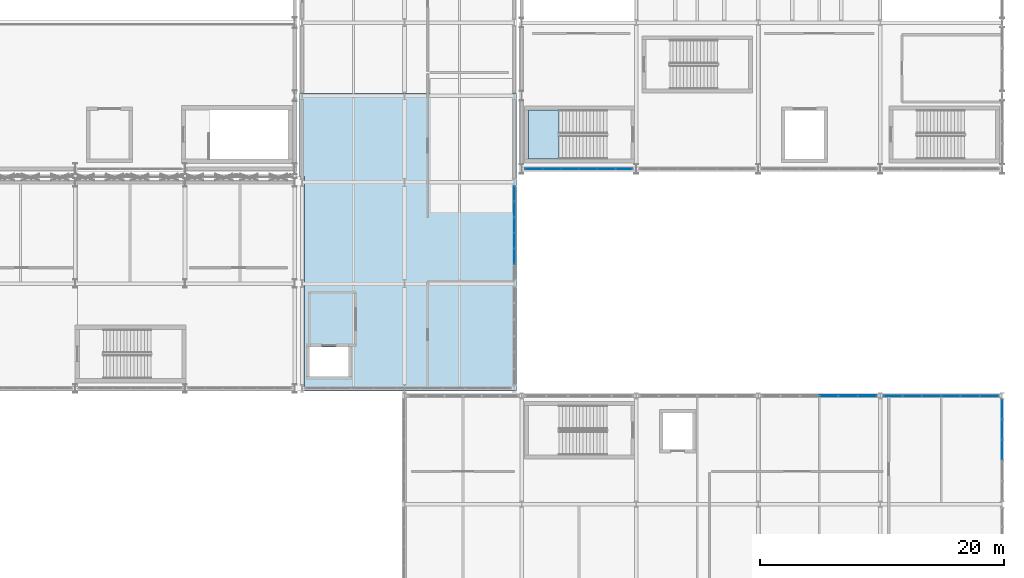
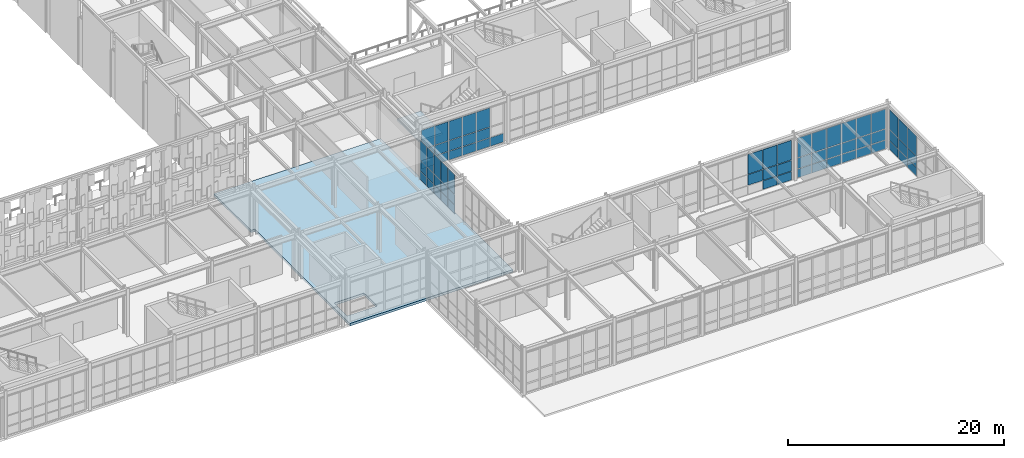
# One storey, part 145 of 210: 66 plates, 2 slabs, 6 elements without a shape of their own.
"""IFC4 building model written with IfcOpenShell, lengths in metres."""

from ifc_helpers import new_model, si_unit, direction, frame, origin, origin_2d, place, context, subcontext, project, spatial, polyline, rectangle, outline, extrude, material, layer, layer_set, type_object, element, aggregate, save


model = new_model("IFC4")

# Units and contexts
model_context = context("Model", 3, precision=1e-05, world=origin(), true_north=direction((0.0, 1.0)))
body_context = subcontext(model_context, "Body", "Model", "MODEL_VIEW")
ifc_project = project(units=[si_unit("LENGTHUNIT", "METRE"), si_unit("AREAUNIT", "SQUARE_METRE"), si_unit("VOLUMEUNIT", "CUBIC_METRE"), si_unit("PLANEANGLEUNIT", "RADIAN"), si_unit("MASSUNIT", "GRAM", prefix="KILO")], contexts=[model_context])

# Site, building, storey
site_placement = place(None, origin())
site = spatial("IfcSite", under=ifc_project, at=site_placement, CompositionType="ELEMENT")
building_placement = place(site_placement, origin())
building = spatial("IfcBuilding", under=site, at=building_placement, Name="Kaldris Quays Convention Centre", CompositionType="ELEMENT")
storey_placement = place(building_placement, frame((0.0, 0.0, 6.0)))
storey = spatial("IfcBuildingStorey", under=building, at=storey_placement, Name="L01", CompositionType="ELEMENT", Elevation=6.0)

# Curtain wall, plates
ifc_material_1 = material(Name="Anodized aluminium AW-6060 and triple glazing", Category="aluminium")
curtain_wall_type_1 = type_object("IfcCurtainWallType", Name="UNITISED CURTAIN WALL CW02", PredefinedType="NOTDEFINED", material=ifc_material_1)
curtain_wall_1_placement = place(storey_placement, origin())
curtain_wall_1 = element("IfcCurtainWall", 1, at=curtain_wall_1_placement, inside=storey, type_object=curtain_wall_type_1, Name="L01 Unitised Curtain Wall CW02 194", PredefinedType="NOTDEFINED")
ifc_material_2 = material(Name="Triple low-E insulated glazing", Category="glass")
plate_type_1 = type_object("IfcPlateType", Name="CURTAIN GLAZING PANEL CWP2", PredefinedType="CURTAIN_PANEL", material=ifc_material_2)
plate_1_placement = place(storey_placement, frame((195.056640625, 37.39990234375, 0.06005859375), z_axis=(0.0, 0.0, 1.0), x_axis=(1.0, 0.0, 0.0)))
plate_1 = element("IfcPlate", 2, at=plate_1_placement, type_object=plate_type_1, Name="CW02 panel 1.1", PredefinedType="CURTAIN_PANEL", context=body_context, shape_type="SweptSolid", body=[
    extrude(rectangle(XDim=1.493408203125, YDim=0.033935546875, at=origin_2d()), origin(), (0.0, 0.0, 1.0), 0.9599609375),
])
plate_2_placement = place(storey_placement, frame((195.056640625, 37.39990234375, 1.080078125), z_axis=(0.0, 0.0, 1.0), x_axis=(1.0, 0.0, 0.0)))
plate_2 = element("IfcPlate", 3, at=plate_2_placement, type_object=plate_type_1, Name="CW02 panel 1.2", PredefinedType="CURTAIN_PANEL", context=body_context, shape_type="SweptSolid", body=[
    extrude(rectangle(XDim=1.493408203125, YDim=0.033935546875, at=origin_2d()), origin(), (0.0, 0.0, 1.0), 1.18994140625),
])
plate_3_placement = place(storey_placement, frame((195.056640625, 37.39990234375, 2.330078125), z_axis=(0.0, 0.0, 1.0), x_axis=(1.0, 0.0, 0.0)))
plate_3 = element("IfcPlate", 4, at=plate_3_placement, type_object=plate_type_1, Name="CW02 panel 1.3", PredefinedType="CURTAIN_PANEL", context=body_context, shape_type="SweptSolid", body=[
    extrude(rectangle(XDim=1.493408203125, YDim=0.033935546875, at=origin_2d()), origin(), (0.0, 0.0, 1.0), 2.2099609375),
])
plate_4_placement = place(storey_placement, frame((196.625, 37.39990234375, 0.06005859375), z_axis=(0.0, 0.0, 1.0), x_axis=(1.0, 0.0, 0.0)))
plate_4 = element("IfcPlate", 5, at=plate_4_placement, type_object=plate_type_1, Name="CW02 panel 2.1", PredefinedType="CURTAIN_PANEL", context=body_context, shape_type="SweptSolid", body=[
    extrude(rectangle(XDim=1.5234375, YDim=0.033935546875, at=origin_2d()), origin(), (0.0, 0.0, 1.0), 0.9599609375),
])
plate_5_placement = place(storey_placement, frame((196.625, 37.39990234375, 1.080078125), z_axis=(0.0, 0.0, 1.0), x_axis=(1.0, 0.0, 0.0)))
plate_5 = element("IfcPlate", 6, at=plate_5_placement, type_object=plate_type_1, Name="CW02 panel 2.2", PredefinedType="CURTAIN_PANEL", context=body_context, shape_type="SweptSolid", body=[
    extrude(rectangle(XDim=1.5234375, YDim=0.033935546875, at=origin_2d()), origin(), (0.0, 0.0, 1.0), 1.18994140625),
])
plate_6_placement = place(storey_placement, frame((196.625, 37.39990234375, 2.330078125), z_axis=(0.0, 0.0, 1.0), x_axis=(1.0, 0.0, 0.0)))
plate_6 = element("IfcPlate", 7, at=plate_6_placement, type_object=plate_type_1, Name="CW02 panel 2.3", PredefinedType="CURTAIN_PANEL", context=body_context, shape_type="SweptSolid", body=[
    extrude(rectangle(XDim=1.5234375, YDim=0.033935546875, at=origin_2d()), origin(), (0.0, 0.0, 1.0), 2.2099609375),
])
plate_7_placement = place(storey_placement, frame((198.208251953125, 37.39990234375, 0.06005859375), z_axis=(0.0, 0.0, 1.0), x_axis=(1.0, 0.0, 0.0)))
plate_7 = element("IfcPlate", 8, at=plate_7_placement, type_object=plate_type_1, Name="CW02 panel 3.1", PredefinedType="CURTAIN_PANEL", context=body_context, shape_type="SweptSolid", body=[
    extrude(rectangle(XDim=1.5234375, YDim=0.033935546875, at=origin_2d()), origin(), (0.0, 0.0, 1.0), 0.9599609375),
])
plate_8_placement = place(storey_placement, frame((198.208251953125, 37.39990234375, 1.080078125), z_axis=(0.0, 0.0, 1.0), x_axis=(1.0, 0.0, 0.0)))
plate_8 = element("IfcPlate", 9, at=plate_8_placement, type_object=plate_type_1, Name="CW02 panel 3.2", PredefinedType="CURTAIN_PANEL", context=body_context, shape_type="SweptSolid", body=[
    extrude(rectangle(XDim=1.5234375, YDim=0.033935546875, at=origin_2d()), origin(), (0.0, 0.0, 1.0), 1.18994140625),
])
plate_9_placement = place(storey_placement, frame((198.208251953125, 37.39990234375, 2.330078125), z_axis=(0.0, 0.0, 1.0), x_axis=(1.0, 0.0, 0.0)))
plate_9 = element("IfcPlate", 10, at=plate_9_placement, type_object=plate_type_1, Name="CW02 panel 3.3", PredefinedType="CURTAIN_PANEL", context=body_context, shape_type="SweptSolid", body=[
    extrude(rectangle(XDim=1.5234375, YDim=0.033935546875, at=origin_2d()), origin(), (0.0, 0.0, 1.0), 2.2099609375),
])
plate_10_placement = place(storey_placement, frame((199.791748046875, 37.39990234375, 0.06005859375), z_axis=(0.0, 0.0, 1.0), x_axis=(1.0, 0.0, 0.0)))
plate_10 = element("IfcPlate", 11, at=plate_10_placement, type_object=plate_type_1, Name="CW02 panel 4.1", PredefinedType="CURTAIN_PANEL", context=body_context, shape_type="SweptSolid", body=[
    extrude(rectangle(XDim=1.5234375, YDim=0.033935546875, at=origin_2d()), origin(), (0.0, 0.0, 1.0), 0.9599609375),
])
plate_11_placement = place(storey_placement, frame((199.791748046875, 37.39990234375, 1.080078125), z_axis=(0.0, 0.0, 1.0), x_axis=(1.0, 0.0, 0.0)))
plate_11 = element("IfcPlate", 12, at=plate_11_placement, type_object=plate_type_1, Name="CW02 panel 4.2", PredefinedType="CURTAIN_PANEL", context=body_context, shape_type="SweptSolid", body=[
    extrude(rectangle(XDim=1.5234375, YDim=0.033935546875, at=origin_2d()), origin(), (0.0, 0.0, 1.0), 1.18994140625),
])
plate_12_placement = place(storey_placement, frame((199.791748046875, 37.39990234375, 2.330078125), z_axis=(0.0, 0.0, 1.0), x_axis=(1.0, 0.0, 0.0)))
plate_12 = element("IfcPlate", 13, at=plate_12_placement, type_object=plate_type_1, Name="CW02 panel 4.3", PredefinedType="CURTAIN_PANEL", context=body_context, shape_type="SweptSolid", body=[
    extrude(rectangle(XDim=1.5234375, YDim=0.033935546875, at=origin_2d()), origin(), (0.0, 0.0, 1.0), 2.2099609375),
])
plate_13_placement = place(storey_placement, frame((201.375, 37.39990234375, 0.06005859375), z_axis=(0.0, 0.0, 1.0), x_axis=(1.0, 0.0, 0.0)))
plate_13 = element("IfcPlate", 14, at=plate_13_placement, type_object=plate_type_1, Name="CW02 panel 5.1", PredefinedType="CURTAIN_PANEL", context=body_context, shape_type="SweptSolid", body=[
    extrude(rectangle(XDim=1.5234375, YDim=0.033935546875, at=origin_2d()), origin(), (0.0, 0.0, 1.0), 0.9599609375),
])
plate_14_placement = place(storey_placement, frame((201.375, 37.39990234375, 1.080078125), z_axis=(0.0, 0.0, 1.0), x_axis=(1.0, 0.0, 0.0)))
plate_14 = element("IfcPlate", 15, at=plate_14_placement, type_object=plate_type_1, Name="CW02 panel 5.2", PredefinedType="CURTAIN_PANEL", context=body_context, shape_type="SweptSolid", body=[
    extrude(rectangle(XDim=1.5234375, YDim=0.033935546875, at=origin_2d()), origin(), (0.0, 0.0, 1.0), 1.18994140625),
])
plate_15_placement = place(storey_placement, frame((201.375, 37.39990234375, 2.330078125), z_axis=(0.0, 0.0, 1.0), x_axis=(1.0, 0.0, 0.0)))
plate_15 = element("IfcPlate", 16, at=plate_15_placement, type_object=plate_type_1, Name="CW02 panel 5.3", PredefinedType="CURTAIN_PANEL", context=body_context, shape_type="SweptSolid", body=[
    extrude(rectangle(XDim=1.5234375, YDim=0.033935546875, at=origin_2d()), origin(), (0.0, 0.0, 1.0), 2.2099609375),
])
plate_16_placement = place(storey_placement, frame((202.943359375, 37.39990234375, 0.06005859375), z_axis=(0.0, 0.0, 1.0), x_axis=(1.0, 0.0, 0.0)))
plate_16 = element("IfcPlate", 17, at=plate_16_placement, type_object=plate_type_1, Name="CW02 panel 6.1", PredefinedType="CURTAIN_PANEL", context=body_context, shape_type="SweptSolid", body=[
    extrude(rectangle(XDim=1.493408203125, YDim=0.033935546875, at=origin_2d()), origin(), (0.0, 0.0, 1.0), 0.9599609375),
])
plate_17_placement = place(storey_placement, frame((202.943359375, 37.39990234375, 1.080078125), z_axis=(0.0, 0.0, 1.0), x_axis=(1.0, 0.0, 0.0)))
plate_17 = element("IfcPlate", 18, at=plate_17_placement, type_object=plate_type_1, Name="CW02 panel 6.2", PredefinedType="CURTAIN_PANEL", context=body_context, shape_type="SweptSolid", body=[
    extrude(rectangle(XDim=1.493408203125, YDim=0.033935546875, at=origin_2d()), origin(), (0.0, 0.0, 1.0), 1.18994140625),
])
plate_18_placement = place(storey_placement, frame((202.943359375, 37.39990234375, 2.330078125), z_axis=(0.0, 0.0, 1.0), x_axis=(1.0, 0.0, 0.0)))
plate_18 = element("IfcPlate", 19, at=plate_18_placement, type_object=plate_type_1, Name="CW02 panel 6.3", PredefinedType="CURTAIN_PANEL", context=body_context, shape_type="SweptSolid", body=[
    extrude(rectangle(XDim=1.493408203125, YDim=0.033935546875, at=origin_2d()), origin(), (0.0, 0.0, 1.0), 2.2099609375),
])
aggregate(curtain_wall_1, [plate_1, plate_2, plate_3, plate_4, plate_5, plate_6, plate_7, plate_8, plate_9, plate_10, plate_11, plate_12, plate_13, plate_14, plate_15, plate_16, plate_17, plate_18])

curtain_wall_type_2 = type_object("IfcCurtainWallType", Name="UNITISED CURTAIN WALL CW04", PredefinedType="NOTDEFINED", material=ifc_material_1)
curtain_wall_2_placement = place(storey_placement, origin())
curtain_wall_2 = element("IfcCurtainWall", 20, at=curtain_wall_2_placement, inside=storey, type_object=curtain_wall_type_2, Name="L01 Unitised Curtain Wall CW04 139", PredefinedType="NOTDEFINED")
plate_type_2 = type_object("IfcPlateType", Name="CURTAIN GLAZING PANEL CWP3", PredefinedType="CURTAIN_PANEL", material=ifc_material_2)
plate_19_placement = place(storey_placement, frame((164.0, 48.800048828125, 0.06005859375), z_axis=(0.0, 0.0, 1.0), x_axis=(0.0, 1.0, 0.0)))
plate_19 = element("IfcPlate", 21, at=plate_19_placement, type_object=plate_type_2, Name="CW04 panel 2.1", PredefinedType="CURTAIN_PANEL", context=body_context, shape_type="SweptSolid", body=[
    extrude(rectangle(XDim=1.239990234375, YDim=0.0390625, at=origin_2d()), origin(), (0.0, 0.0, 1.0), 0.9599609375),
])
plate_20_placement = place(storey_placement, frame((164.0, 48.800048828125, 1.080078125), z_axis=(0.0, 0.0, 1.0), x_axis=(0.0, 1.0, 0.0)))
plate_20 = element("IfcPlate", 22, at=plate_20_placement, type_object=plate_type_2, Name="CW04 panel 2.2", PredefinedType="CURTAIN_PANEL", context=body_context, shape_type="SweptSolid", body=[
    extrude(rectangle(XDim=1.239990234375, YDim=0.0390625, at=origin_2d()), origin(), (0.0, 0.0, 1.0), 1.14892578125),
])
plate_21_placement = place(storey_placement, frame((164.0, 48.800048828125, 2.2890625), z_axis=(0.0, 0.0, 1.0), x_axis=(0.0, 1.0, 0.0)))
plate_21 = element("IfcPlate", 23, at=plate_21_placement, type_object=plate_type_2, Name="CW04 panel 2.3", PredefinedType="CURTAIN_PANEL", context=body_context, shape_type="SweptSolid", body=[
    extrude(rectangle(XDim=1.239990234375, YDim=0.0390625, at=origin_2d()), origin(), (0.0, 0.0, 1.0), 2.1689453125),
])
plate_22_placement = place(storey_placement, frame((164.0, 50.10009765625, 0.06005859375), z_axis=(0.0, 0.0, 1.0), x_axis=(0.0, 1.0, 0.0)))
plate_22 = element("IfcPlate", 24, at=plate_22_placement, type_object=plate_type_2, Name="CW04 panel 3.1", PredefinedType="CURTAIN_PANEL", context=body_context, shape_type="SweptSolid", body=[
    extrude(rectangle(XDim=1.239990234375, YDim=0.0390625, at=origin_2d()), origin(), (0.0, 0.0, 1.0), 0.9599609375),
])
plate_23_placement = place(storey_placement, frame((164.0, 50.10009765625, 1.080078125), z_axis=(0.0, 0.0, 1.0), x_axis=(0.0, 1.0, 0.0)))
plate_23 = element("IfcPlate", 25, at=plate_23_placement, type_object=plate_type_2, Name="CW04 panel 3.2", PredefinedType="CURTAIN_PANEL", context=body_context, shape_type="SweptSolid", body=[
    extrude(rectangle(XDim=1.239990234375, YDim=0.0390625, at=origin_2d()), origin(), (0.0, 0.0, 1.0), 1.14892578125),
])
plate_24_placement = place(storey_placement, frame((164.0, 50.10009765625, 2.2890625), z_axis=(0.0, 0.0, 1.0), x_axis=(0.0, 1.0, 0.0)))
plate_24 = element("IfcPlate", 26, at=plate_24_placement, type_object=plate_type_2, Name="CW04 panel 3.3", PredefinedType="CURTAIN_PANEL", context=body_context, shape_type="SweptSolid", body=[
    extrude(rectangle(XDim=1.239990234375, YDim=0.0390625, at=origin_2d()), origin(), (0.0, 0.0, 1.0), 2.1689453125),
])
plate_25_placement = place(storey_placement, frame((164.0, 51.39990234375, 0.06005859375), z_axis=(0.0, 0.0, 1.0), x_axis=(0.0, 1.0, 0.0)))
plate_25 = element("IfcPlate", 27, at=plate_25_placement, type_object=plate_type_2, Name="CW04 panel 4.1", PredefinedType="CURTAIN_PANEL", context=body_context, shape_type="SweptSolid", body=[
    extrude(rectangle(XDim=1.239990234375, YDim=0.0390625, at=origin_2d()), origin(), (0.0, 0.0, 1.0), 0.9599609375),
])
plate_26_placement = place(storey_placement, frame((164.0, 51.39990234375, 1.080078125), z_axis=(0.0, 0.0, 1.0), x_axis=(0.0, 1.0, 0.0)))
plate_26 = element("IfcPlate", 28, at=plate_26_placement, type_object=plate_type_2, Name="CW04 panel 4.2", PredefinedType="CURTAIN_PANEL", context=body_context, shape_type="SweptSolid", body=[
    extrude(rectangle(XDim=1.239990234375, YDim=0.0390625, at=origin_2d()), origin(), (0.0, 0.0, 1.0), 1.14892578125),
])
plate_27_placement = place(storey_placement, frame((164.0, 51.39990234375, 2.2890625), z_axis=(0.0, 0.0, 1.0), x_axis=(0.0, 1.0, 0.0)))
plate_27 = element("IfcPlate", 29, at=plate_27_placement, type_object=plate_type_2, Name="CW04 panel 4.3", PredefinedType="CURTAIN_PANEL", context=body_context, shape_type="SweptSolid", body=[
    extrude(rectangle(XDim=1.239990234375, YDim=0.0390625, at=origin_2d()), origin(), (0.0, 0.0, 1.0), 2.1689453125),
])
plate_28_placement = place(storey_placement, frame((164.0, 52.699951171875, 0.06005859375), z_axis=(0.0, 0.0, 1.0), x_axis=(0.0, 1.0, 0.0)))
plate_28 = element("IfcPlate", 30, at=plate_28_placement, type_object=plate_type_2, Name="CW04 panel 5.1", PredefinedType="CURTAIN_PANEL", context=body_context, shape_type="SweptSolid", body=[
    extrude(rectangle(XDim=1.239990234375, YDim=0.0390625, at=origin_2d()), origin(), (0.0, 0.0, 1.0), 0.9599609375),
])
plate_29_placement = place(storey_placement, frame((164.0, 52.699951171875, 1.080078125), z_axis=(0.0, 0.0, 1.0), x_axis=(0.0, 1.0, 0.0)))
plate_29 = element("IfcPlate", 31, at=plate_29_placement, type_object=plate_type_2, Name="CW04 panel 5.2", PredefinedType="CURTAIN_PANEL", context=body_context, shape_type="SweptSolid", body=[
    extrude(rectangle(XDim=1.239990234375, YDim=0.0390625, at=origin_2d()), origin(), (0.0, 0.0, 1.0), 1.14892578125),
])
plate_30_placement = place(storey_placement, frame((164.0, 52.699951171875, 2.2890625), z_axis=(0.0, 0.0, 1.0), x_axis=(0.0, 1.0, 0.0)))
plate_30 = element("IfcPlate", 32, at=plate_30_placement, type_object=plate_type_2, Name="CW04 panel 5.3", PredefinedType="CURTAIN_PANEL", context=body_context, shape_type="SweptSolid", body=[
    extrude(rectangle(XDim=1.239990234375, YDim=0.0390625, at=origin_2d()), origin(), (0.0, 0.0, 1.0), 2.1689453125),
])
plate_31_placement = place(storey_placement, frame((164.0, 53.985107421875, 0.06005859375), z_axis=(0.0, 0.0, 1.0), x_axis=(0.0, 1.0, 0.0)))
plate_31 = element("IfcPlate", 33, at=plate_31_placement, type_object=plate_type_2, Name="CW04 panel 6.1", PredefinedType="CURTAIN_PANEL", context=body_context, shape_type="SweptSolid", body=[
    extrude(rectangle(XDim=1.2099609375, YDim=0.0390625, at=origin_2d()), origin(), (0.0, 0.0, 1.0), 0.9599609375),
])
plate_32_placement = place(storey_placement, frame((164.0, 53.985107421875, 1.080078125), z_axis=(0.0, 0.0, 1.0), x_axis=(0.0, 1.0, 0.0)))
plate_32 = element("IfcPlate", 34, at=plate_32_placement, type_object=plate_type_2, Name="CW04 panel 6.2", PredefinedType="CURTAIN_PANEL", context=body_context, shape_type="SweptSolid", body=[
    extrude(rectangle(XDim=1.2099609375, YDim=0.0390625, at=origin_2d()), origin(), (0.0, 0.0, 1.0), 1.14892578125),
])
plate_33_placement = place(storey_placement, frame((164.0, 53.985107421875, 2.2890625), z_axis=(0.0, 0.0, 1.0), x_axis=(0.0, 1.0, 0.0)))
plate_33 = element("IfcPlate", 35, at=plate_33_placement, type_object=plate_type_2, Name="CW04 panel 6.3", PredefinedType="CURTAIN_PANEL", context=body_context, shape_type="SweptSolid", body=[
    extrude(rectangle(XDim=1.2099609375, YDim=0.0390625, at=origin_2d()), origin(), (0.0, 0.0, 1.0), 2.1689453125),
])
aggregate(curtain_wall_2, [plate_19, plate_20, plate_21, plate_22, plate_23, plate_24, plate_25, plate_26, plate_27, plate_28, plate_29, plate_30, plate_31, plate_32, plate_33])

curtain_wall_type_3 = type_object("IfcCurtainWallType", Name="UNITISED CURTAIN WALL CW01", PredefinedType="NOTDEFINED", material=ifc_material_1)
curtain_wall_3_placement = place(storey_placement, origin())
curtain_wall_3 = element("IfcCurtainWall", 36, at=curtain_wall_3_placement, inside=storey, type_object=curtain_wall_type_3, Name="L01 Unitised Curtain Wall CW01 22", PredefinedType="NOTDEFINED")
plate_type_3 = type_object("IfcPlateType", Name="CURTAIN GLAZING PANEL CWP6", PredefinedType="CURTAIN_PANEL", material=ifc_material_2)
plate_34_placement = place(storey_placement, frame((165.606689453125, 56.0, 0.06005859375), z_axis=(0.0, 0.0, 1.0), x_axis=(1.0, 0.0, 0.0)))
plate_34 = element("IfcPlate", 37, at=plate_34_placement, type_object=plate_type_3, Name="CW01 panel 1.1", PredefinedType="CURTAIN_PANEL", context=body_context, shape_type="SweptSolid", body=[
    extrude(rectangle(XDim=1.393310546875, YDim=0.053955078125, at=origin_2d()), origin(), (0.0, 0.0, 1.0), 0.9599609375),
])
plate_35_placement = place(storey_placement, frame((165.606689453125, 56.0, 1.080078125), z_axis=(0.0, 0.0, 1.0), x_axis=(1.0, 0.0, 0.0)))
plate_35 = element("IfcPlate", 38, at=plate_35_placement, type_object=plate_type_3, Name="CW01 panel 1.2", PredefinedType="CURTAIN_PANEL", context=body_context, shape_type="SweptSolid", body=[
    extrude(rectangle(XDim=1.393310546875, YDim=0.053955078125, at=origin_2d()), origin(), (0.0, 0.0, 1.0), 1.12890625),
])
plate_36_placement = place(storey_placement, frame((165.606689453125, 56.0, 2.26904296875), z_axis=(0.0, 0.0, 1.0), x_axis=(1.0, 0.0, 0.0)))
plate_36 = element("IfcPlate", 39, at=plate_36_placement, type_object=plate_type_3, Name="CW01 panel 1.3", PredefinedType="CURTAIN_PANEL", context=body_context, shape_type="SweptSolid", body=[
    extrude(rectangle(XDim=1.393310546875, YDim=0.053955078125, at=origin_2d()), origin(), (0.0, 0.0, 1.0), 2.14892578125),
])
plate_37_placement = place(storey_placement, frame((167.074951171875, 56.0, 0.06005859375), z_axis=(0.0, 0.0, 1.0), x_axis=(1.0, 0.0, 0.0)))
plate_37 = element("IfcPlate", 40, at=plate_37_placement, type_object=plate_type_3, Name="CW01 panel 2.1", PredefinedType="CURTAIN_PANEL", context=body_context, shape_type="SweptSolid", body=[
    extrude(rectangle(XDim=1.42333984375, YDim=0.053955078125, at=origin_2d()), origin(), (0.0, 0.0, 1.0), 0.9599609375),
])
plate_38_placement = place(storey_placement, frame((167.074951171875, 56.0, 1.080078125), z_axis=(0.0, 0.0, 1.0), x_axis=(1.0, 0.0, 0.0)))
plate_38 = element("IfcPlate", 41, at=plate_38_placement, type_object=plate_type_3, Name="CW01 panel 2.2", PredefinedType="CURTAIN_PANEL", context=body_context, shape_type="SweptSolid", body=[
    extrude(rectangle(XDim=1.42333984375, YDim=0.053955078125, at=origin_2d()), origin(), (0.0, 0.0, 1.0), 1.12890625),
])
plate_39_placement = place(storey_placement, frame((167.074951171875, 56.0, 2.26904296875), z_axis=(0.0, 0.0, 1.0), x_axis=(1.0, 0.0, 0.0)))
plate_39 = element("IfcPlate", 42, at=plate_39_placement, type_object=plate_type_3, Name="CW01 panel 2.3", PredefinedType="CURTAIN_PANEL", context=body_context, shape_type="SweptSolid", body=[
    extrude(rectangle(XDim=1.42333984375, YDim=0.053955078125, at=origin_2d()), origin(), (0.0, 0.0, 1.0), 2.14892578125),
])
plate_40_placement = place(storey_placement, frame((168.558349609375, 56.0, 0.06005859375), z_axis=(0.0, 0.0, 1.0), x_axis=(1.0, 0.0, 0.0)))
plate_40 = element("IfcPlate", 43, at=plate_40_placement, type_object=plate_type_3, Name="CW01 panel 3.1", PredefinedType="CURTAIN_PANEL", context=body_context, shape_type="SweptSolid", body=[
    extrude(rectangle(XDim=1.42333984375, YDim=0.053955078125, at=origin_2d()), origin(), (0.0, 0.0, 1.0), 0.9599609375),
])
plate_41_placement = place(storey_placement, frame((168.558349609375, 56.0, 1.080078125), z_axis=(0.0, 0.0, 1.0), x_axis=(1.0, 0.0, 0.0)))
plate_41 = element("IfcPlate", 44, at=plate_41_placement, type_object=plate_type_3, Name="CW01 panel 3.2", PredefinedType="CURTAIN_PANEL", context=body_context, shape_type="SweptSolid", body=[
    extrude(rectangle(XDim=1.42333984375, YDim=0.053955078125, at=origin_2d()), origin(), (0.0, 0.0, 1.0), 1.12890625),
])
plate_42_placement = place(storey_placement, frame((168.558349609375, 56.0, 2.26904296875), z_axis=(0.0, 0.0, 1.0), x_axis=(1.0, 0.0, 0.0)))
plate_42 = element("IfcPlate", 45, at=plate_42_placement, type_object=plate_type_3, Name="CW01 panel 3.3", PredefinedType="CURTAIN_PANEL", context=body_context, shape_type="SweptSolid", body=[
    extrude(rectangle(XDim=1.42333984375, YDim=0.053955078125, at=origin_2d()), origin(), (0.0, 0.0, 1.0), 2.14892578125),
])
plate_43_placement = place(storey_placement, frame((170.041748046875, 56.0, 0.06005859375), z_axis=(0.0, 0.0, 1.0), x_axis=(1.0, 0.0, 0.0)))
plate_43 = element("IfcPlate", 46, at=plate_43_placement, type_object=plate_type_3, Name="CW01 panel 4.1", PredefinedType="CURTAIN_PANEL", context=body_context, shape_type="SweptSolid", body=[
    extrude(rectangle(XDim=1.42333984375, YDim=0.053955078125, at=origin_2d()), origin(), (0.0, 0.0, 1.0), 0.9599609375),
])
plate_44_placement = place(storey_placement, frame((170.041748046875, 56.0, 1.080078125), z_axis=(0.0, 0.0, 1.0), x_axis=(1.0, 0.0, 0.0)))
plate_44 = element("IfcPlate", 47, at=plate_44_placement, type_object=plate_type_3, Name="CW01 panel 4.2", PredefinedType="CURTAIN_PANEL", context=body_context, shape_type="SweptSolid", body=[
    extrude(rectangle(XDim=1.42333984375, YDim=0.053955078125, at=origin_2d()), origin(), (0.0, 0.0, 1.0), 1.12890625),
])
plate_45_placement = place(storey_placement, frame((170.041748046875, 56.0, 2.26904296875), z_axis=(0.0, 0.0, 1.0), x_axis=(1.0, 0.0, 0.0)))
plate_45 = element("IfcPlate", 48, at=plate_45_placement, type_object=plate_type_3, Name="CW01 panel 4.3", PredefinedType="CURTAIN_PANEL", context=body_context, shape_type="SweptSolid", body=[
    extrude(rectangle(XDim=1.42333984375, YDim=0.053955078125, at=origin_2d()), origin(), (0.0, 0.0, 1.0), 2.14892578125),
])
plate_46_placement = place(storey_placement, frame((171.52490234375, 56.0, 0.06005859375), z_axis=(0.0, 0.0, 1.0), x_axis=(1.0, 0.0, 0.0)))
plate_46 = element("IfcPlate", 49, at=plate_46_placement, type_object=plate_type_3, Name="CW01 panel 5.1", PredefinedType="CURTAIN_PANEL", context=body_context, shape_type="SweptSolid", body=[
    extrude(rectangle(XDim=1.42333984375, YDim=0.053955078125, at=origin_2d()), origin(), (0.0, 0.0, 1.0), 0.9599609375),
])
plate_47_placement = place(storey_placement, frame((171.52490234375, 56.0, 1.080078125), z_axis=(0.0, 0.0, 1.0), x_axis=(1.0, 0.0, 0.0)))
plate_47 = element("IfcPlate", 50, at=plate_47_placement, type_object=plate_type_3, Name="CW01 panel 5.2", PredefinedType="CURTAIN_PANEL", context=body_context, shape_type="SweptSolid", body=[
    extrude(rectangle(XDim=1.42333984375, YDim=0.053955078125, at=origin_2d()), origin(), (0.0, 0.0, 1.0), 1.12890625),
])
plate_48_placement = place(storey_placement, frame((171.52490234375, 56.0, 2.26904296875), z_axis=(0.0, 0.0, 1.0), x_axis=(1.0, 0.0, 0.0)))
plate_48 = element("IfcPlate", 51, at=plate_48_placement, type_object=plate_type_3, Name="CW01 panel 5.3", PredefinedType="CURTAIN_PANEL", context=body_context, shape_type="SweptSolid", body=[
    extrude(rectangle(XDim=1.42333984375, YDim=0.053955078125, at=origin_2d()), origin(), (0.0, 0.0, 1.0), 2.14892578125),
])
plate_49_placement = place(storey_placement, frame((172.993408203125, 56.0, 0.06005859375), z_axis=(0.0, 0.0, 1.0), x_axis=(1.0, 0.0, 0.0)))
plate_49 = element("IfcPlate", 52, at=plate_49_placement, type_object=plate_type_3, Name="CW01 panel 6.1", PredefinedType="CURTAIN_PANEL", context=body_context, shape_type="SweptSolid", body=[
    extrude(rectangle(XDim=1.393310546875, YDim=0.053955078125, at=origin_2d()), origin(), (0.0, 0.0, 1.0), 0.9599609375),
])
aggregate(curtain_wall_3, [plate_34, plate_35, plate_36, plate_37, plate_38, plate_39, plate_40, plate_41, plate_42, plate_43, plate_44, plate_45, plate_46, plate_47, plate_48, plate_49])

curtain_wall_4_placement = place(storey_placement, origin())
curtain_wall_4 = element("IfcCurtainWall", 53, at=curtain_wall_4_placement, inside=storey, type_object=curtain_wall_type_1, Name="L01 Unitised Curtain Wall CW02 198", PredefinedType="NOTDEFINED")
plate_50_placement = place(storey_placement, frame((204.0, 32.949951171875, 0.06005859375), z_axis=(0.0, 0.0, 1.0), x_axis=(0.0, 1.0, 0.0)))
plate_50 = element("IfcPlate", 54, at=plate_50_placement, type_object=plate_type_3, Name="CW02 panel 3.1", PredefinedType="CURTAIN_PANEL", context=body_context, shape_type="SweptSolid", body=[
    extrude(rectangle(XDim=1.6201171875, YDim=0.053955078125, at=origin_2d()), origin(), (0.0, 0.0, 1.0), 0.9599609375),
])
plate_51_placement = place(storey_placement, frame((204.0, 32.949951171875, 1.080078125), z_axis=(0.0, 0.0, 1.0), x_axis=(0.0, 1.0, 0.0)))
plate_51 = element("IfcPlate", 55, at=plate_51_placement, type_object=plate_type_3, Name="CW02 panel 3.2", PredefinedType="CURTAIN_PANEL", context=body_context, shape_type="SweptSolid", body=[
    extrude(rectangle(XDim=1.6201171875, YDim=0.053955078125, at=origin_2d()), origin(), (0.0, 0.0, 1.0), 1.18994140625),
])
plate_52_placement = place(storey_placement, frame((204.0, 32.949951171875, 2.330078125), z_axis=(0.0, 0.0, 1.0), x_axis=(0.0, 1.0, 0.0)))
plate_52 = element("IfcPlate", 56, at=plate_52_placement, type_object=plate_type_3, Name="CW02 panel 3.3", PredefinedType="CURTAIN_PANEL", context=body_context, shape_type="SweptSolid", body=[
    extrude(rectangle(XDim=1.6201171875, YDim=0.053955078125, at=origin_2d()), origin(), (0.0, 0.0, 1.0), 2.2099609375),
])
plate_53_placement = place(storey_placement, frame((204.0, 34.6298828125, 0.06005859375), z_axis=(0.0, 0.0, 1.0), x_axis=(0.0, 1.0, 0.0)))
plate_53 = element("IfcPlate", 57, at=plate_53_placement, type_object=plate_type_3, Name="CW02 panel 4.1", PredefinedType="CURTAIN_PANEL", context=body_context, shape_type="SweptSolid", body=[
    extrude(rectangle(XDim=1.6201171875, YDim=0.053955078125, at=origin_2d()), origin(), (0.0, 0.0, 1.0), 0.9599609375),
])
plate_54_placement = place(storey_placement, frame((204.0, 34.6298828125, 1.080078125), z_axis=(0.0, 0.0, 1.0), x_axis=(0.0, 1.0, 0.0)))
plate_54 = element("IfcPlate", 58, at=plate_54_placement, type_object=plate_type_3, Name="CW02 panel 4.2", PredefinedType="CURTAIN_PANEL", context=body_context, shape_type="SweptSolid", body=[
    extrude(rectangle(XDim=1.6201171875, YDim=0.053955078125, at=origin_2d()), origin(), (0.0, 0.0, 1.0), 1.18994140625),
])
plate_55_placement = place(storey_placement, frame((204.0, 34.6298828125, 2.330078125), z_axis=(0.0, 0.0, 1.0), x_axis=(0.0, 1.0, 0.0)))
plate_55 = element("IfcPlate", 59, at=plate_55_placement, type_object=plate_type_3, Name="CW02 panel 4.3", PredefinedType="CURTAIN_PANEL", context=body_context, shape_type="SweptSolid", body=[
    extrude(rectangle(XDim=1.6201171875, YDim=0.053955078125, at=origin_2d()), origin(), (0.0, 0.0, 1.0), 2.2099609375),
])
plate_56_placement = place(storey_placement, frame((204.0, 36.294921875, 0.06005859375), z_axis=(0.0, 0.0, 1.0), x_axis=(0.0, 1.0, 0.0)))
plate_56 = element("IfcPlate", 60, at=plate_56_placement, type_object=plate_type_3, Name="CW02 panel 5.1", PredefinedType="CURTAIN_PANEL", context=body_context, shape_type="SweptSolid", body=[
    extrude(rectangle(XDim=1.590087890625, YDim=0.053955078125, at=origin_2d()), origin(), (0.0, 0.0, 1.0), 0.9599609375),
])
plate_57_placement = place(storey_placement, frame((204.0, 36.294921875, 1.080078125), z_axis=(0.0, 0.0, 1.0), x_axis=(0.0, 1.0, 0.0)))
plate_57 = element("IfcPlate", 61, at=plate_57_placement, type_object=plate_type_3, Name="CW02 panel 5.2", PredefinedType="CURTAIN_PANEL", context=body_context, shape_type="SweptSolid", body=[
    extrude(rectangle(XDim=1.590087890625, YDim=0.053955078125, at=origin_2d()), origin(), (0.0, 0.0, 1.0), 1.18994140625),
])
plate_58_placement = place(storey_placement, frame((204.0, 36.294921875, 2.330078125), z_axis=(0.0, 0.0, 1.0), x_axis=(0.0, 1.0, 0.0)))
plate_58 = element("IfcPlate", 62, at=plate_58_placement, type_object=plate_type_3, Name="CW02 panel 5.3", PredefinedType="CURTAIN_PANEL", context=body_context, shape_type="SweptSolid", body=[
    extrude(rectangle(XDim=1.590087890625, YDim=0.053955078125, at=origin_2d()), origin(), (0.0, 0.0, 1.0), 2.2099609375),
])
aggregate(curtain_wall_4, [plate_50, plate_51, plate_52, plate_53, plate_54, plate_55, plate_56, plate_57, plate_58])

curtain_wall_5_placement = place(storey_placement, origin())
curtain_wall_5 = element("IfcCurtainWall", 63, at=curtain_wall_5_placement, inside=storey, type_object=curtain_wall_type_1, Name="L01 Unitised Curtain Wall CW02 192", PredefinedType="NOTDEFINED")
plate_type_4 = type_object("IfcPlateType", Name="CURTAIN GLAZING PANEL CWP8", PredefinedType="CURTAIN_PANEL", material=ifc_material_2)
plate_59_placement = place(storey_placement, frame((189.791748046875, 37.39990234375, 1.080078125), z_axis=(0.0, 0.0, 1.0), x_axis=(1.0, 0.0, 0.0)))
plate_59 = element("IfcPlate", 64, at=plate_59_placement, type_object=plate_type_4, Name="CW02 panel 4.2", PredefinedType="CURTAIN_PANEL", context=body_context, shape_type="SweptSolid", body=[
    extrude(rectangle(XDim=1.5234375, YDim=0.06396484375, at=origin_2d()), origin(), (0.0, 0.0, 1.0), 1.18994140625),
])
plate_60_placement = place(storey_placement, frame((189.791748046875, 37.39990234375, 2.330078125), z_axis=(0.0, 0.0, 1.0), x_axis=(1.0, 0.0, 0.0)))
plate_60 = element("IfcPlate", 65, at=plate_60_placement, type_object=plate_type_4, Name="CW02 panel 4.3", PredefinedType="CURTAIN_PANEL", context=body_context, shape_type="SweptSolid", body=[
    extrude(rectangle(XDim=1.5234375, YDim=0.06396484375, at=origin_2d()), origin(), (0.0, 0.0, 1.0), 2.2099609375),
])
plate_61_placement = place(storey_placement, frame((191.375, 37.39990234375, 0.06005859375), z_axis=(0.0, 0.0, 1.0), x_axis=(1.0, 0.0, 0.0)))
plate_61 = element("IfcPlate", 66, at=plate_61_placement, type_object=plate_type_4, Name="CW02 panel 5.1", PredefinedType="CURTAIN_PANEL", context=body_context, shape_type="SweptSolid", body=[
    extrude(rectangle(XDim=1.5234375, YDim=0.06396484375, at=origin_2d()), origin(), (0.0, 0.0, 1.0), 0.9599609375),
])
plate_62_placement = place(storey_placement, frame((191.375, 37.39990234375, 1.080078125), z_axis=(0.0, 0.0, 1.0), x_axis=(1.0, 0.0, 0.0)))
plate_62 = element("IfcPlate", 67, at=plate_62_placement, type_object=plate_type_4, Name="CW02 panel 5.2", PredefinedType="CURTAIN_PANEL", context=body_context, shape_type="SweptSolid", body=[
    extrude(rectangle(XDim=1.5234375, YDim=0.06396484375, at=origin_2d()), origin(), (0.0, 0.0, 1.0), 1.18994140625),
])
plate_63_placement = place(storey_placement, frame((191.375, 37.39990234375, 2.330078125), z_axis=(0.0, 0.0, 1.0), x_axis=(1.0, 0.0, 0.0)))
plate_63 = element("IfcPlate", 68, at=plate_63_placement, type_object=plate_type_4, Name="CW02 panel 5.3", PredefinedType="CURTAIN_PANEL", context=body_context, shape_type="SweptSolid", body=[
    extrude(rectangle(XDim=1.5234375, YDim=0.06396484375, at=origin_2d()), origin(), (0.0, 0.0, 1.0), 2.2099609375),
])
plate_64_placement = place(storey_placement, frame((192.943359375, 37.39990234375, 0.06005859375), z_axis=(0.0, 0.0, 1.0), x_axis=(1.0, 0.0, 0.0)))
plate_64 = element("IfcPlate", 69, at=plate_64_placement, type_object=plate_type_4, Name="CW02 panel 6.1", PredefinedType="CURTAIN_PANEL", context=body_context, shape_type="SweptSolid", body=[
    extrude(rectangle(XDim=1.493408203125, YDim=0.06396484375, at=origin_2d()), origin(), (0.0, 0.0, 1.0), 0.9599609375),
])
plate_65_placement = place(storey_placement, frame((192.943359375, 37.39990234375, 1.080078125), z_axis=(0.0, 0.0, 1.0), x_axis=(1.0, 0.0, 0.0)))
plate_65 = element("IfcPlate", 70, at=plate_65_placement, type_object=plate_type_4, Name="CW02 panel 6.2", PredefinedType="CURTAIN_PANEL", context=body_context, shape_type="SweptSolid", body=[
    extrude(rectangle(XDim=1.493408203125, YDim=0.06396484375, at=origin_2d()), origin(), (0.0, 0.0, 1.0), 1.18994140625),
])
plate_66_placement = place(storey_placement, frame((192.943359375, 37.39990234375, 2.330078125), z_axis=(0.0, 0.0, 1.0), x_axis=(1.0, 0.0, 0.0)))
plate_66 = element("IfcPlate", 71, at=plate_66_placement, type_object=plate_type_4, Name="CW02 panel 6.3", PredefinedType="CURTAIN_PANEL", context=body_context, shape_type="SweptSolid", body=[
    extrude(rectangle(XDim=1.493408203125, YDim=0.06396484375, at=origin_2d()), origin(), (0.0, 0.0, 1.0), 2.2099609375),
])
aggregate(curtain_wall_5, [plate_59, plate_60, plate_61, plate_62, plate_63, plate_64, plate_65, plate_66])

# Stair, slab
ifc_material_3 = material(Name="Concrete C35/45", Category="concrete")
stair_type = type_object("IfcStairType", Name="DOGLEG ESCAPE STAIR STF1", PredefinedType="TWO_STRAIGHT_RUN_STAIR", material=ifc_material_3)
stair_placement = place(storey_placement, origin())
stair = element("IfcStair", 72, at=stair_placement, inside=storey, type_object=stair_type, Name="L01 Escape Stair ST08", PredefinedType="TWO_STRAIGHT_RUN_STAIR")
ifc_layer_1 = layer(ifc_material_3, 0.205078125)
ifc_layer_set_1 = layer_set([ifc_layer_1], Name="Concrete C35/45")
slab_type_1 = type_object("IfcSlabType", Name="STAIR LANDING SLAB LS01", PredefinedType="LANDING", material=ifc_layer_set_1)
slab_1_placement = place(storey_placement, frame((0.0, 0.0, 2.4951171875)))
slab_1 = element("IfcSlab", 73, at=slab_1_placement, type_object=slab_type_1, Name="STF1 landing 1", PredefinedType="LANDING", context=body_context, shape_type="SweptSolid", body=[
    extrude(outline(polyline([(167.679931640625, 60.85009765625), (165.14990234375, 60.85009765625), (165.14990234375, 56.800048828125), (167.679931640625, 56.800048828125), (167.679931640625, 60.85009765625)])), origin(), (0.0, 0.0, 1.0), 0.204833984375),
])
aggregate(stair, [slab_1])

# Slab
ifc_layer_2 = layer(ifc_material_3, 0.27490234375)
ifc_layer_set_2 = layer_set([ifc_layer_2], Name="Concrete C35/45")
slab_type_2 = type_object("IfcSlabType", Name="STRUCTURAL SLAB FS05", PredefinedType="FLOOR", material=ifc_layer_set_2)
slab_2_placement = place(storey_placement, frame((0.0, 0.0, -0.27490234375)))
element("IfcSlab", 74, at=slab_2_placement, inside=storey, type_object=slab_type_2, Name="L01 V4 L01 East 1 SLAB-L01-V4E-1", PredefinedType="FLOOR", context=body_context, shape_type="SweptSolid", body=[
    extrude(outline(polyline([(146.39990234375, 62.199951171875), (164.199951171875, 62.199951171875), (164.199951171875, 37.800048828125), (146.802001953125, 37.800048828125), (146.802001953125, 55.375), (146.39990234375, 55.376953125), (146.39990234375, 62.199951171875)]), holes=[polyline([(150.39990234375, 39.0), (150.39990234375, 41.39990234375), (147.199951171875, 41.39990234375), (147.199951171875, 39.0), (150.39990234375, 39.0)])]), origin(), (0.0, 0.0, 1.0), 0.27490234375),
])

save(model, "model.ifc")
